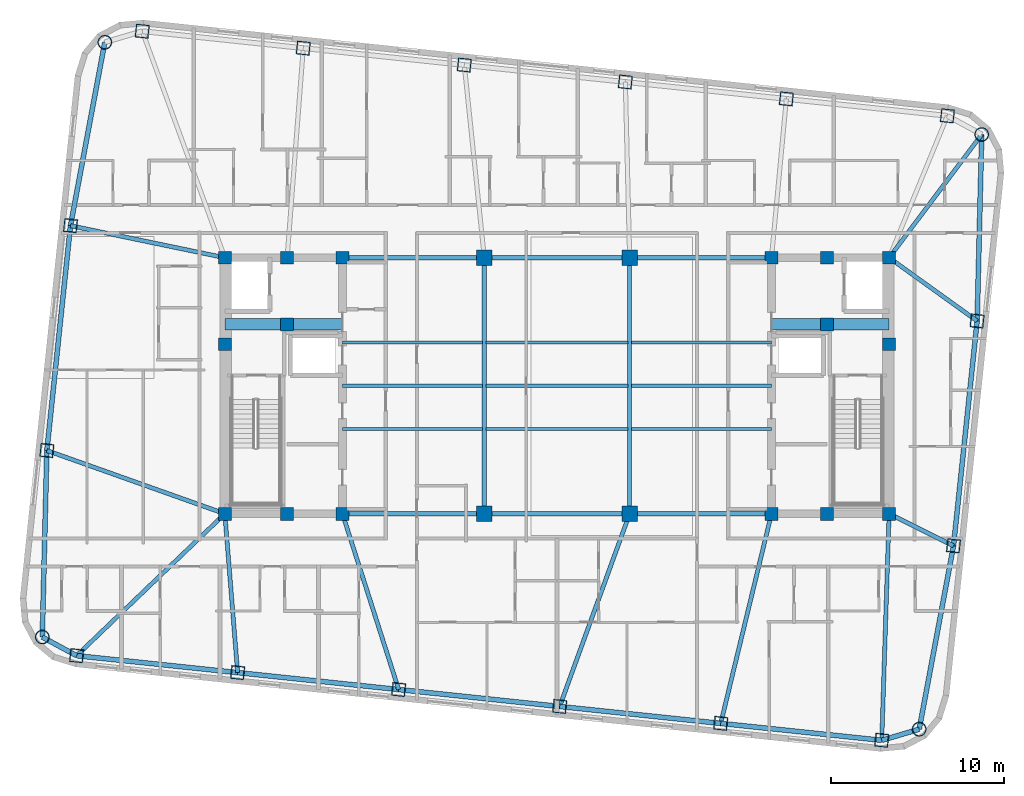
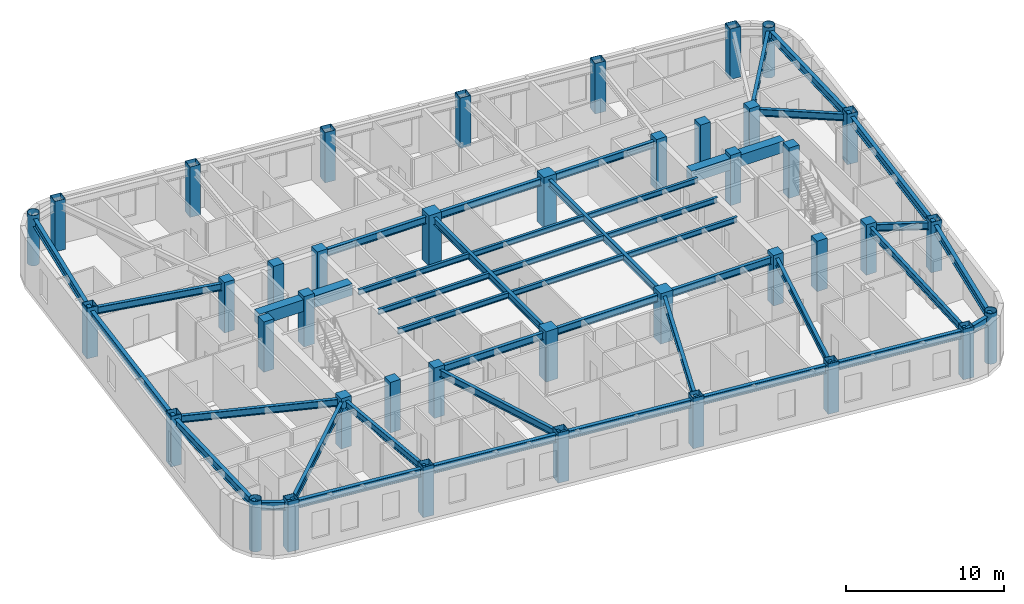
# One storey, part 1 of 11: 43 beams, 40 columns.
"""IFC4 building model written with IfcOpenShell, lengths in metres."""

import ifcopenshell
import ifcopenshell.guid

model = None  # the IFC model being written
_history = None  # IfcOwnerHistory: only IFC2X3 demands one
_inside = {}  # id of a spatial element -> (the spatial element, [elements in it])
_under = {}  # id of a project, library or spatial element -> (it, [spatial elements below it])
_declared = {}  # id of a project -> (the project, [libraries it declares])
_typed = {}  # id of a type object -> (the type object, [elements of that type])
_made_of = {}  # id of a material, layer set ... -> (it, [elements and type objects made of it])


def new_model(schema):
    """Start an empty IFC model of exactly this schema.

    Asked for "IFC4X3", IfcOpenShell would pick the latest addendum, in which some entities
    have other attributes; the version numbers below select the first issue.
    IFC2X3 requires an IfcOwnerHistory on every rooted entity: one is made here for all.
    """
    global model, _history
    if schema == "IFC4X3":
        model = ifcopenshell.file(schema_version=(4, 3, 0, 0))
    else:
        model = ifcopenshell.file(schema=schema)
    _inside.clear()
    _under.clear()
    _declared.clear()
    _typed.clear()
    _made_of.clear()
    _history = None
    if model.schema == "IFC2X3":
        org = make("IfcOrganization", Name="unknown")
        user = make(
            "IfcPersonAndOrganization",
            ThePerson=make("IfcPerson", FamilyName="unknown"),
            TheOrganization=org,
        )
        app = make(
            "IfcApplication",
            ApplicationDeveloper=org,
            Version="unknown",
            ApplicationFullName="unknown",
            ApplicationIdentifier="unknown",
        )
        _history = make(
            "IfcOwnerHistory",
            OwningUser=user,
            OwningApplication=app,
            ChangeAction="ADDED",
            CreationDate=0,
        )
    return model


def make(cls, **values):
    """One entity of the class cls with the attributes given. An attribute that is None is left unset."""
    return model.create_entity(
        cls, **{name: value for name, value in values.items() if value is not None}
    )


def rooted(cls, **values):
    """An entity with a GlobalId (a new one), such as an element, a storey or a relation."""
    return make(cls, GlobalId=ifcopenshell.guid.new(), OwnerHistory=_history, **values)


def si_unit(unit_type, name, prefix=None):
    """IfcSIUnit, for example si_unit("LENGTHUNIT", "METRE", prefix="MILLI")."""
    return make("IfcSIUnit", UnitType=unit_type, Prefix=prefix, Name=name)


def assignment(units):
    """IfcUnitAssignment: the units of a project."""
    return None if units is None else make("IfcUnitAssignment", Units=units)


def point(xyz):
    """IfcCartesianPoint."""
    return None if xyz is None else make("IfcCartesianPoint", Coordinates=xyz)


def direction(xyz):
    """IfcDirection."""
    return None if xyz is None else make("IfcDirection", DirectionRatios=xyz)


def frame(location, z_axis=None, x_axis=None):
    """IfcAxis2Placement3D, a coordinate frame: its origin and axes. An axis left out is left unset."""
    return make(
        "IfcAxis2Placement3D",
        Location=point(location),
        Axis=direction(z_axis),
        RefDirection=direction(x_axis),
    )


def frame_2d(location, x_axis=None):
    """IfcAxis2Placement2D, a coordinate frame in the plane: its origin and x axis."""
    return make(
        "IfcAxis2Placement2D", Location=point(location), RefDirection=direction(x_axis)
    )


def origin():
    """The frame at (0, 0, 0) with its axes left unset."""
    return frame((0.0, 0.0, 0.0))


def origin_2d():
    """The frame at (0, 0) in the plane with its x axis left unset."""
    return frame_2d((0.0, 0.0))


def place(relative_to, where):
    """IfcLocalPlacement: puts the frame where relative to a parent placement (None: the world)."""
    return make(
        "IfcLocalPlacement", PlacementRelTo=relative_to, RelativePlacement=where
    )


def context(
    kind, dimensions, precision=None, world=None, true_north=None, identifier=None
):
    """IfcGeometricRepresentationContext, for example the 3D "Model" context."""
    return make(
        "IfcGeometricRepresentationContext",
        ContextIdentifier=identifier,
        ContextType=kind,
        CoordinateSpaceDimension=dimensions,
        Precision=precision,
        WorldCoordinateSystem=world,
        TrueNorth=true_north,
    )


def subcontext(parent, identifier, kind, view, scale=None):
    """IfcGeometricRepresentationSubContext, for example "Body" below "Model"."""
    return make(
        "IfcGeometricRepresentationSubContext",
        ContextIdentifier=identifier,
        ContextType=kind,
        ParentContext=parent,
        TargetScale=scale,
        TargetView=view,
    )


def project(units=None, contexts=None):
    """IfcProject with its units and contexts."""
    return rooted(
        "IfcProject",
        Name="project",
        RepresentationContexts=contexts,
        UnitsInContext=assignment(units),
    )


def spatial(cls, under=None, at=None, **own):
    """A site, building, storey or space (cls), placed at a placement, below another one or the project."""
    s = rooted(cls, ObjectPlacement=at, **own)
    if under is not None:
        _under.setdefault(under.id(), (under, []))[1].append(s)
    return s


def profile(cls, at=None, kind="AREA", **sizes):
    """A parametric profile (cls). Its sizes go by their IFC names, for example OverallWidth=200.0."""
    return make(cls, ProfileType=kind, Position=at, **sizes)


def rectangle(**sizes):
    """IfcRectangleProfileDef."""
    return profile("IfcRectangleProfileDef", **sizes)


def hollow_rectangle(**sizes):
    """IfcRectangleHollowProfileDef."""
    return profile("IfcRectangleHollowProfileDef", **sizes)


def hollow_circle(**sizes):
    """IfcCircleHollowProfileDef."""
    return profile("IfcCircleHollowProfileDef", **sizes)


def i_section(**sizes):
    """IfcIShapeProfileDef."""
    return profile("IfcIShapeProfileDef", **sizes)


def extrude(swept, where, along, depth):
    """IfcExtrudedAreaSolid: the profile swept, set in the frame where, extruded along a direction by depth."""
    return make(
        "IfcExtrudedAreaSolid",
        SweptArea=swept,
        Position=where,
        ExtrudedDirection=direction(along),
        Depth=depth,
    )


def shape(context_of_items, identifier, shape_type, items):
    """IfcShapeRepresentation: the items that make up one representation, for example the "Body"."""
    return make(
        "IfcShapeRepresentation",
        ContextOfItems=context_of_items,
        RepresentationIdentifier=identifier,
        RepresentationType=shape_type,
        Items=items,
    )


def material(Name=None, Category=None):
    """IfcMaterial."""
    return make("IfcMaterial", Name=Name, Category=Category)


def material_profile(
    of_material, cross_section, Name=None, Category=None, Priority=None
):
    """IfcMaterialProfile: a cross section and its material."""
    return make(
        "IfcMaterialProfile",
        Name=Name,
        Material=of_material,
        Profile=cross_section,
        Priority=Priority,
        Category=Category,
    )


def profile_set(profiles, Name=None, composite=None):
    """IfcMaterialProfileSet."""
    return make(
        "IfcMaterialProfileSet",
        Name=Name,
        MaterialProfiles=profiles,
        CompositeProfile=composite,
    )


def made_of(thing, what):
    """Note that an element or type object is made of a material, layer set ...; save() writes the relation."""
    if what is not None:
        _made_of.setdefault(what.id(), (what, []))[1].append(thing)
    return thing


def type_object(cls, material=None, **own):
    """A type object (cls), such as IfcWallType, which elements share."""
    return made_of(rooted(cls, **own), material)


def element(
    cls,
    number,
    at=None,
    inside=None,
    cuts=None,
    type_object=None,
    material=None,
    context=None,
    identifier="Body",
    shape_type=None,
    held_by="IfcProductDefinitionShape",
    body=None,
    shapes=None,
    **own,
):
    """One element of the class cls, such as IfcWall. Its Tag is "e" and its number.

    at: its placement. inside: the storey or other place that contains it. cuts: it is an
    opening in that element (IfcRelVoidsElement). A single representation is given by context,
    identifier, shape_type and body (its items); several are given by shapes. held_by: the class
    of the entity that holds the representations. save() writes the other relations.
    """
    e = rooted(cls, Tag="e%d" % number, ObjectPlacement=at, **own)
    if body is not None:
        shapes = [shape(context, identifier, shape_type, body)]
    if shapes is not None:
        e.Representation = make(held_by, Representations=shapes)
    if inside is not None:
        _inside.setdefault(inside.id(), (inside, []))[1].append(e)
    if cuts is not None:
        rooted(
            "IfcRelVoidsElement", RelatingBuildingElement=cuts, RelatedOpeningElement=e
        )
    if type_object is not None:
        _typed.setdefault(type_object.id(), (type_object, []))[1].append(e)
    return made_of(e, material)


def aggregate(whole, parts):
    """IfcRelAggregates: a whole, such as a stair, and the parts it consists of."""
    return rooted("IfcRelAggregates", RelatingObject=whole, RelatedObjects=parts)


def save(model, path):
    """Write the relations noted so far, then the file.

    IfcRelAggregates (storeys below a building ...), IfcRelContainedInSpatialStructure (elements
    in a storey), IfcRelDefinesByType, IfcRelAssociatesMaterial and IfcRelDeclares: one each for
    every whole, place, type object, material and project.
    """
    for whole, parts in _under.values():
        aggregate(whole, parts)
    for where, things in _inside.values():
        rooted(
            "IfcRelContainedInSpatialStructure",
            RelatedElements=things,
            RelatingStructure=where,
        )
    for kind, things in _typed.values():
        rooted("IfcRelDefinesByType", RelatedObjects=things, RelatingType=kind)
    for what, things in _made_of.values():
        rooted("IfcRelAssociatesMaterial", RelatedObjects=things, RelatingMaterial=what)
    for by, libraries in _declared.values():
        rooted("IfcRelDeclares", RelatingContext=by, RelatedDefinitions=libraries)
    model.write(path)


model = new_model("IFC4")

# Units and contexts
model_context = context("Model", 3, precision=1e-05, world=origin(), true_north=direction((0.0, 1.0)))
body_context = subcontext(model_context, "Body", "Model", "MODEL_VIEW")
ifc_project = project(units=[si_unit("LENGTHUNIT", "METRE"), si_unit("AREAUNIT", "SQUARE_METRE"), si_unit("VOLUMEUNIT", "CUBIC_METRE"), si_unit("PLANEANGLEUNIT", "RADIAN"), si_unit("MASSUNIT", "GRAM", prefix="KILO")], contexts=[model_context])

# Site, building, storey
site_placement = place(None, origin())
site = spatial("IfcSite", under=ifc_project, at=site_placement, CompositionType="ELEMENT")
building_placement = place(site_placement, origin())
building = spatial("IfcBuilding", under=site, at=building_placement, Name="Voryun Gate Residences", CompositionType="ELEMENT")
storey_placement = place(building_placement, frame((0.0, 0.0, 302.89990234375)))
storey = spatial("IfcBuildingStorey", under=building, at=storey_placement, Name="L75", CompositionType="ELEMENT", Elevation=302.89990234375)

# Columns
ifc_material_1 = material(Name="Concrete C50/60", Category="concrete")
ifc_material_profile_1 = material_profile(ifc_material_1, rectangle(XDim=0.75, YDim=0.75, at=origin_2d()), Name="RC-750x750")
ifc_profile_set_1 = profile_set([ifc_material_profile_1], Name="Concrete C50/60")
column_type_1 = type_object("IfcColumnType", Name="COL_CORE_750", PredefinedType="COLUMN", material=ifc_profile_set_1)
for number, where, z_axis, x_axis, name in (
    (1, (-19.199951171875, -7.39990234375, 0.0), (0.0, 0.0, 1.0), (1.0, 0.0, 0.0), "L75 Core boundary column WC-SW"),
    (2, (-19.199951171875, 2.39990234375, 0.0), (0.0, 0.0, 1.0), (1.0, 0.0, 0.0), "L75 Core boundary column WC-MW"),
    (3, (-19.199951171875, 7.39990234375, 0.0), (0.0, 0.0, 1.0), (1.0, 0.0, 0.0), "L75 Core boundary column WC-NW"),
    (4, (-15.60009765625, -7.39990234375, 0.0), (0.0, 0.0, 1.0), (1.0, 0.0, 0.0), "L75 Core boundary column WC-SM"),
    (5, (-15.60009765625, 7.39990234375, 0.0), (0.0, 0.0, 1.0), (1.0, 0.0, 0.0), "L75 Core boundary column WC-NM"),
    (6, (-12.39990234375, -7.39990234375, 0.0), (0.0, 0.0, 1.0), (1.0, 0.0, 0.0), "L75 Core boundary column WC-SE"),
    (7, (-15.60009765625, 3.550048828125, 0.0), (0.0, 0.0, 1.0), (1.0, 0.0, 0.0), "L75 Core boundary column WC-MM"),
    (8, (-12.39990234375, 7.39990234375, 0.0), (0.0, 0.0, 1.0), (1.0, 0.0, 0.0), "L75 Core boundary column WC-NE"),
    (9, (12.39990234375, -7.39990234375, 0.0), (0.0, 0.0, 1.0), (1.0, 0.0, 0.0), "L75 Core boundary column EC-SW"),
    (10, (15.60009765625, 3.550048828125, 0.0), (0.0, 0.0, 1.0), (1.0, 0.0, 0.0), "L75 Core boundary column EC-MM"),
    (11, (12.39990234375, 7.39990234375, 0.0), (0.0, 0.0, 1.0), (1.0, 0.0, 0.0), "L75 Core boundary column EC-NW"),
    (12, (15.60009765625, -7.39990234375, 0.0), (0.0, 0.0, 1.0), (1.0, 0.0, 0.0), "L75 Core boundary column EC-SM"),
    (13, (15.60009765625, 7.39990234375, 0.0), (0.0, 0.0, 1.0), (1.0, 0.0, 0.0), "L75 Core boundary column EC-NM"),
    (14, (19.199951171875, -7.39990234375, 0.0), (0.0, 0.0, 1.0), (1.0, 0.0, 0.0), "L75 Core boundary column EC-SE"),
    (15, (19.199951171875, 2.39990234375, 0.0), (0.0, 0.0, 1.0), (1.0, 0.0, 0.0), "L75 Core boundary column EC-ME"),
    (16, (19.199951171875, 7.39990234375, 0.0), (0.0, 0.0, 1.0), (1.0, 0.0, 0.0), "L75 Core boundary column EC-NE"),
):
    element("IfcColumn", number, at=place(storey_placement, frame(where, z_axis=z_axis, x_axis=x_axis)), inside=storey, type_object=column_type_1, Name=name, PredefinedType="COLUMN", context=body_context, shape_type="SweptSolid", body=[
        extrude(rectangle(XDim=0.75, YDim=0.75, at=origin_2d()), origin(), (0.0, 0.0, 1.0), 3.900146484375),
    ])
ifc_material_2 = material(Name="Concrete C50/60", Category="concrete")
ifc_material_profile_2 = material_profile(ifc_material_2, rectangle(XDim=0.89990234375, YDim=0.89990234375, at=origin_2d()), Name="RC-900x900")
ifc_profile_set_2 = profile_set([ifc_material_profile_2], Name="Concrete C50/60")
column_type_2 = type_object("IfcColumnType", Name="COL_CORE_900", PredefinedType="COLUMN", material=ifc_profile_set_2)
for number, where, z_axis, x_axis, name in (
    (17, (-4.199951171875, -7.39990234375, 0.0), (0.0, 0.0, 1.0), (1.0, 0.0, 0.0), "L75 Interior spine column SP-WS"),
    (18, (-4.199951171875, 7.39990234375, 0.0), (0.0, 0.0, 1.0), (1.0, 0.0, 0.0), "L75 Interior spine column SP-WN"),
    (19, (4.199951171875, -7.39990234375, 0.0), (0.0, 0.0, 1.0), (1.0, 0.0, 0.0), "L75 Interior spine column SP-ES"),
    (20, (4.199951171875, 7.39990234375, 0.0), (0.0, 0.0, 1.0), (1.0, 0.0, 0.0), "L75 Interior spine column SP-EN"),
):
    element("IfcColumn", number, at=place(storey_placement, frame(where, z_axis=z_axis, x_axis=x_axis)), inside=storey, type_object=column_type_2, Name=name, PredefinedType="COLUMN", context=body_context, shape_type="SweptSolid", body=[
        extrude(rectangle(XDim=0.89990234375, YDim=0.89990234375, at=origin_2d()), origin(), (0.0, 0.0, 1.0), 3.900146484375),
    ])
ifc_material_3 = material(Name="Steel SM355", Category="steel")
ifc_material_profile_3 = material_profile(ifc_material_3, hollow_circle(Radius=0.39990234375, WallThickness=0.028076171875, at=origin_2d()), Name="CHS-800x28")
ifc_profile_set_3 = profile_set([ifc_material_profile_3], Name="Steel SM355")
column_type_3 = type_object("IfcColumnType", Name="COL_CRN_800", PredefinedType="COLUMN", material=ifc_profile_set_3)
for number, where, z_axis, x_axis, name in (
    (21, (20.939453125, -19.855224609375, 0.0), (0.0, 0.0, 1.0), (0.994521895368, -0.104528463268, 0.0), "L75 Exoskeleton column CSE"),
    (22, (24.55322265625, 14.52734375, 0.0), (0.0, 0.0, 1.0), (0.994521895368, -0.104528463268, 0.0), "L75 Exoskeleton column CNE"),
    (23, (-26.139404296875, 19.855224609375, 0.0), (0.0, 0.0, 1.0), (0.994521895368, -0.104528463268, 0.0), "L75 Exoskeleton column CNW"),
    (24, (-29.753173828125, -14.52734375, 0.0), (0.0, 0.0, 1.0), (0.994521895368, -0.104528463268, 0.0), "L75 Exoskeleton column CSW"),
):
    element("IfcColumn", number, at=place(storey_placement, frame(where, z_axis=z_axis, x_axis=x_axis)), inside=storey, type_object=column_type_3, Name=name, PredefinedType="COLUMN", context=body_context, shape_type="SweptSolid", body=[
        extrude(hollow_circle(Radius=0.39990234375, WallThickness=0.028076171875, at=origin_2d()), origin(), (0.0, 0.0, 1.0), 3.900146484375),
    ])
ifc_material_4 = material(Name="Steel SM355", Category="steel")
ifc_material_profile_4 = material_profile(ifc_material_4, hollow_rectangle(XDim=0.75, YDim=0.75, WallThickness=0.02490234375, at=origin_2d()), Name="BOX-750x750x25")
ifc_profile_set_4 = profile_set([ifc_material_profile_4], Name="Steel SM355")
column_type_4 = type_object("IfcColumnType", Name="COL_EXO_B5", PredefinedType="COLUMN", material=ifc_profile_set_4)
for number, where, z_axis, x_axis, name in (
    (25, (-27.76904296875, -15.6044921875, 0.0), (0.0, 0.0, 1.0), (0.994521895368, -0.104528463268, 0.0), "L75 Exoskeleton column S1"),
    (26, (-18.460205078125, -16.5830078125, 0.0), (0.0, 0.0, 1.0), (0.994521895368, -0.104528463268, 0.0), "L75 Exoskeleton column S2"),
    (27, (-9.151611328125, -17.561279296875, 0.0), (0.0, 0.0, 1.0), (0.994521895368, -0.104528463268, 0.0), "L75 Exoskeleton column S3"),
    (28, (0.1572265625, -18.539794921875, 0.0), (0.0, 0.0, 1.0), (0.994521895368, -0.104528463268, 0.0), "L75 Exoskeleton column S4"),
    (29, (9.4658203125, -19.51806640625, 0.0), (0.0, 0.0, 1.0), (0.994521895368, -0.104528463268, 0.0), "L75 Exoskeleton column S5"),
    (30, (18.774658203125, -20.49658203125, 0.0), (0.0, 0.0, 1.0), (0.994521895368, -0.104528463268, 0.0), "L75 Exoskeleton column S6"),
    (31, (22.922607421875, -9.25244140625, 0.0), (0.0, 0.0, 1.0), (0.994521895368, -0.104528463268, 0.0), "L75 Exoskeleton column E1"),
    (32, (24.28857421875, 3.743896484375, 0.0), (0.0, 0.0, 1.0), (0.994521895368, -0.104528463268, 0.0), "L75 Exoskeleton column E2"),
    (33, (22.569091796875, 15.6044921875, 0.0), (0.0, 0.0, 1.0), (0.994521895368, -0.104528463268, 0.0), "L75 Exoskeleton column N1"),
    (34, (13.26025390625, 16.5830078125, 0.0), (0.0, 0.0, 1.0), (0.994521895368, -0.104528463268, 0.0), "L75 Exoskeleton column N2"),
    (35, (3.95166015625, 17.561279296875, 0.0), (0.0, 0.0, 1.0), (0.994521895368, -0.104528463268, 0.0), "L75 Exoskeleton column N3"),
    (36, (-5.357177734375, 18.539794921875, 0.0), (0.0, 0.0, 1.0), (0.994521895368, -0.104528463268, 0.0), "L75 Exoskeleton column N4"),
    (37, (-14.666015625, 19.51806640625, 0.0), (0.0, 0.0, 1.0), (0.994521895368, -0.104528463268, 0.0), "L75 Exoskeleton column N5"),
    (38, (-23.974609375, 20.49658203125, 0.0), (0.0, 0.0, 1.0), (0.994521895368, -0.104528463268, 0.0), "L75 Exoskeleton column N6"),
    (39, (-28.12255859375, 9.25244140625, 0.0), (0.0, 0.0, 1.0), (0.994521895368, -0.104528463268, 0.0), "L75 Exoskeleton column W1"),
    (40, (-29.488525390625, -3.743896484375, 0.0), (0.0, 0.0, 1.0), (0.994521895368, -0.104528463268, 0.0), "L75 Exoskeleton column W2"),
):
    element("IfcColumn", number, at=place(storey_placement, frame(where, z_axis=z_axis, x_axis=x_axis)), inside=storey, type_object=column_type_4, Name=name, PredefinedType="COLUMN", context=body_context, shape_type="SweptSolid", body=[
        extrude(hollow_rectangle(XDim=0.75, YDim=0.75, WallThickness=0.02490234375, at=origin_2d()), origin(), (0.0, 0.0, 1.0), 3.900146484375),
    ])

# Beams
ifc_material_5 = material(Name="Concrete C60/75", Category="concrete")
ifc_material_profile_5 = material_profile(ifc_material_5, rectangle(XDim=0.64990234375, YDim=0.89990234375, at=origin_2d()), Name="RC-650x900")
ifc_profile_set_5 = profile_set([ifc_material_profile_5], Name="Concrete C60/75")
beam_type_1 = type_object("IfcBeamType", Name="BM_COUP_RC900", PredefinedType="LINTEL", material=ifc_profile_set_5)
for number, where, z_axis, x_axis, name in (
    (41, (-19.199951171875, 3.550048828125, 3.18505859375), (1.0, 0.0, 0.0), (0.0, 1.0, 0.0), "BM-L75-WC1"),
    (42, (12.39990234375, 3.550048828125, 3.18505859375), (1.0, 0.0, 0.0), (0.0, 1.0, 0.0), "BM-L75-EC1"),
):
    element("IfcBeam", number, at=place(storey_placement, frame(where, z_axis=z_axis, x_axis=x_axis)), inside=storey, type_object=beam_type_1, Name=name, PredefinedType="LINTEL", context=body_context, shape_type="SweptSolid", body=[
        extrude(rectangle(XDim=0.64990234375, YDim=0.89990234375, at=origin_2d()), origin(), (0.0, 0.0, 1.0), 6.800048828125),
    ])
ifc_material_6 = material(Name="Steel SM355", Category="steel")
ifc_material_profile_6 = material_profile(ifc_material_6, i_section(OverallWidth=0.280029296875, OverallDepth=0.6201171875, WebThickness=0.013916015625, FlangeThickness=0.02197265625, FilletRadius=0.01806640625, at=origin_2d()), Name="H-620x280x14x22")
ifc_profile_set_6 = profile_set([ifc_material_profile_6], Name="Steel SM355")
beam_type_2 = type_object("IfcBeamType", Name="BM_EXO_SPANDREL_H", PredefinedType="SPANDREL", material=ifc_profile_set_6)
beam_1_placement = place(storey_placement, frame((-27.76904296875, -15.6044921875, 3.3251953125), z_axis=(0.994520592114, -0.104540862157, 0.0), x_axis=(0.104540862157, 0.994520592114, 0.0)))
element("IfcBeam", 43, at=beam_1_placement, inside=storey, type_object=beam_type_2, Name="BM-L75-SPAND-01", PredefinedType="SPANDREL", context=body_context, shape_type="SweptSolid", body=[
    extrude(i_section(OverallWidth=0.280029296875, OverallDepth=0.6201171875, WebThickness=0.013916015625, FlangeThickness=0.02197265625, FilletRadius=0.01806640625, at=origin_2d()), origin(), (0.0, 0.0, 1.0), 9.360107421875),
])
beam_2_placement = place(storey_placement, frame((-18.460205078125, -16.5830078125, 3.3251953125), z_axis=(0.994523018663, -0.104517775278, 0.0), x_axis=(0.104517775278, 0.994523018663, 0.0)))
element("IfcBeam", 44, at=beam_2_placement, inside=storey, type_object=beam_type_2, Name="BM-L75-SPAND-02", PredefinedType="SPANDREL", context=body_context, shape_type="SweptSolid", body=[
    extrude(i_section(OverallWidth=0.280029296875, OverallDepth=0.6201171875, WebThickness=0.013916015625, FlangeThickness=0.02197265625, FilletRadius=0.01806640625, at=origin_2d()), origin(), (0.0, 0.0, 1.0), 9.35986328125),
])
beam_3_placement = place(storey_placement, frame((-9.151611328125, -17.561279296875, 3.3251953125), z_axis=(0.994520592114, -0.104540862157, 0.0), x_axis=(0.104540862157, 0.994520592114, 0.0)))
element("IfcBeam", 45, at=beam_3_placement, inside=storey, type_object=beam_type_2, Name="BM-L75-SPAND-03", PredefinedType="SPANDREL", context=body_context, shape_type="SweptSolid", body=[
    extrude(i_section(OverallWidth=0.280029296875, OverallDepth=0.6201171875, WebThickness=0.013916015625, FlangeThickness=0.02197265625, FilletRadius=0.01806640625, at=origin_2d()), origin(), (0.0, 0.0, 1.0), 9.360107421875),
])
beam_4_placement = place(storey_placement, frame((0.1572265625, -18.539794921875, 3.3251953125), z_axis=(0.994523018663, -0.104517775278, 0.0), x_axis=(0.104517775278, 0.994523018663, 0.0)))
element("IfcBeam", 46, at=beam_4_placement, inside=storey, type_object=beam_type_2, Name="BM-L75-SPAND-04", PredefinedType="SPANDREL", context=body_context, shape_type="SweptSolid", body=[
    extrude(i_section(OverallWidth=0.280029296875, OverallDepth=0.6201171875, WebThickness=0.013916015625, FlangeThickness=0.02197265625, FilletRadius=0.01806640625, at=origin_2d()), origin(), (0.0, 0.0, 1.0), 9.35986328125),
])
beam_5_placement = place(storey_placement, frame((9.4658203125, -19.51806640625, 3.3251953125), z_axis=(0.994520592114, -0.104540862157, 0.0), x_axis=(0.104540862157, 0.994520592114, 0.0)))
element("IfcBeam", 47, at=beam_5_placement, inside=storey, type_object=beam_type_2, Name="BM-L75-SPAND-05", PredefinedType="SPANDREL", context=body_context, shape_type="SweptSolid", body=[
    extrude(i_section(OverallWidth=0.280029296875, OverallDepth=0.6201171875, WebThickness=0.013916015625, FlangeThickness=0.02197265625, FilletRadius=0.01806640625, at=origin_2d()), origin(), (0.0, 0.0, 1.0), 9.360107421875),
])
beam_6_placement = place(storey_placement, frame((18.774658203125, -20.49658203125, 3.3251953125), z_axis=(0.958805748412, 0.28406255792, 0.0), x_axis=(-0.28406255792, 0.958805748412, 0.0)))
element("IfcBeam", 48, at=beam_6_placement, inside=storey, type_object=beam_type_2, Name="BM-L75-SPAND-06", PredefinedType="SPANDREL", context=body_context, shape_type="SweptSolid", body=[
    extrude(i_section(OverallWidth=0.280029296875, OverallDepth=0.6201171875, WebThickness=0.013916015625, FlangeThickness=0.02197265625, FilletRadius=0.01806640625, at=origin_2d()), origin(), (0.0, 0.0, 1.0), 2.2578125),
])
beam_7_placement = place(storey_placement, frame((20.939453125, -19.855224609375, 3.3251953125), z_axis=(0.183852585596, 0.982953827384, 0.0), x_axis=(-0.982953827384, 0.183852585596, 0.0)))
element("IfcBeam", 49, at=beam_7_placement, inside=storey, type_object=beam_type_2, Name="BM-L75-SPAND-07", PredefinedType="SPANDREL", context=body_context, shape_type="SweptSolid", body=[
    extrude(i_section(OverallWidth=0.280029296875, OverallDepth=0.6201171875, WebThickness=0.013916015625, FlangeThickness=0.02197265625, FilletRadius=0.01806640625, at=origin_2d()), origin(), (0.0, 0.0, 1.0), 10.78662109375),
])
beam_8_placement = place(storey_placement, frame((22.922607421875, -9.25244140625, 3.3251953125), z_axis=(0.104528209082, 0.994521922084, 0.0), x_axis=(-0.994521922084, 0.104528209082, 0.0)))
element("IfcBeam", 50, at=beam_8_placement, inside=storey, type_object=beam_type_2, Name="BM-L75-SPAND-08", PredefinedType="SPANDREL", context=body_context, shape_type="SweptSolid", body=[
    extrude(i_section(OverallWidth=0.280029296875, OverallDepth=0.6201171875, WebThickness=0.013916015625, FlangeThickness=0.02197265625, FilletRadius=0.01806640625, at=origin_2d()), origin(), (0.0, 0.0, 1.0), 13.06787109375),
])
for number, where, z_axis, x_axis, name in (
    (51, (24.28857421875, 3.743896484375, 3.3251953125), (0.024534711967, 0.999698978647, 0.0), (-0.999698978647, 0.024534711967, 0.0), "BM-L75-SPAND-09"),
    (52, (-26.139404296875, 19.855224609375, 3.3251953125), (-0.183852585596, -0.982953827384, 0.0), (0.982953827384, -0.183852585596, 0.0), "BM-L75-SPAND-17"),
):
    element("IfcBeam", number, at=place(storey_placement, frame(where, z_axis=z_axis, x_axis=x_axis)), inside=storey, type_object=beam_type_2, Name=name, PredefinedType="SPANDREL", context=body_context, shape_type="SweptSolid", body=[
        extrude(i_section(OverallWidth=0.280029296875, OverallDepth=0.6201171875, WebThickness=0.013916015625, FlangeThickness=0.02197265625, FilletRadius=0.01806640625, at=origin_2d()), origin(), (0.0, 0.0, 1.0), 10.78662109375),
    ])
beam_9_placement = place(storey_placement, frame((-28.12255859375, 9.25244140625, 3.3251953125), z_axis=(-0.104528209082, -0.994521922084, 0.0), x_axis=(0.994521922084, -0.104528209082, 0.0)))
element("IfcBeam", 53, at=beam_9_placement, inside=storey, type_object=beam_type_2, Name="BM-L75-SPAND-18", PredefinedType="SPANDREL", context=body_context, shape_type="SweptSolid", body=[
    extrude(i_section(OverallWidth=0.280029296875, OverallDepth=0.6201171875, WebThickness=0.013916015625, FlangeThickness=0.02197265625, FilletRadius=0.01806640625, at=origin_2d()), origin(), (0.0, 0.0, 1.0), 13.06787109375),
])
beam_10_placement = place(storey_placement, frame((-29.488525390625, -3.743896484375, 3.3251953125), z_axis=(-0.024534711967, -0.999698978647, 0.0), x_axis=(0.999698978647, -0.024534711967, 0.0)))
element("IfcBeam", 54, at=beam_10_placement, inside=storey, type_object=beam_type_2, Name="BM-L75-SPAND-19", PredefinedType="SPANDREL", context=body_context, shape_type="SweptSolid", body=[
    extrude(i_section(OverallWidth=0.280029296875, OverallDepth=0.6201171875, WebThickness=0.013916015625, FlangeThickness=0.02197265625, FilletRadius=0.01806640625, at=origin_2d()), origin(), (0.0, 0.0, 1.0), 10.78662109375),
])
beam_11_placement = place(storey_placement, frame((-29.753173828125, -14.52734375, 3.3251953125), z_axis=(0.878844363117, -0.477108567746, 0.0), x_axis=(0.477108567746, 0.878844363117, 0.0)))
element("IfcBeam", 55, at=beam_11_placement, inside=storey, type_object=beam_type_2, Name="BM-L75-SPAND-20", PredefinedType="SPANDREL", context=body_context, shape_type="SweptSolid", body=[
    extrude(i_section(OverallWidth=0.280029296875, OverallDepth=0.6201171875, WebThickness=0.013916015625, FlangeThickness=0.02197265625, FilletRadius=0.01806640625, at=origin_2d()), origin(), (0.0, 0.0, 1.0), 2.257568359375),
])
ifc_material_7 = material(Name="Steel SM355", Category="steel")
ifc_material_profile_7 = material_profile(ifc_material_7, i_section(OverallWidth=0.239990234375, OverallDepth=0.550048828125, WebThickness=0.011962890625, FlangeThickness=0.02001953125, FilletRadius=0.01806640625, at=origin_2d()), Name="H-550x240x12x20")
ifc_profile_set_7 = profile_set([ifc_material_profile_7], Name="Steel SM355")
beam_type_3 = type_object("IfcBeamType", Name="BM_GIRD_550", PredefinedType="USERDEFINED", material=ifc_profile_set_7)
beam_12_placement = place(storey_placement, frame((-12.39990234375, -7.39990234375, 3.360107421875), z_axis=(1.0, 0.0, 0.0), x_axis=(0.0, 1.0, 0.0)))
element("IfcBeam", 56, at=beam_12_placement, inside=storey, type_object=beam_type_3, Name="BM-L75-SPG1-S", ObjectType="GIRDER", PredefinedType="USERDEFINED", context=body_context, shape_type="SweptSolid", body=[
    extrude(i_section(OverallWidth=0.239990234375, OverallDepth=0.550048828125, WebThickness=0.011962890625, FlangeThickness=0.02001953125, FilletRadius=0.01806640625, at=origin_2d()), origin(), (0.0, 0.0, 1.0), 8.199951171875),
])
beam_13_placement = place(storey_placement, frame((-4.199951171875, -7.39990234375, 3.360107421875), z_axis=(1.0, 0.0, 0.0), x_axis=(0.0, 1.0, 0.0)))
element("IfcBeam", 57, at=beam_13_placement, inside=storey, type_object=beam_type_3, Name="BM-L75-SPG2-S", ObjectType="GIRDER", PredefinedType="USERDEFINED", context=body_context, shape_type="SweptSolid", body=[
    extrude(i_section(OverallWidth=0.239990234375, OverallDepth=0.550048828125, WebThickness=0.011962890625, FlangeThickness=0.02001953125, FilletRadius=0.01806640625, at=origin_2d()), origin(), (0.0, 0.0, 1.0), 8.39990234375),
])
for number, where, z_axis, x_axis, name in (
    (58, (4.199951171875, -7.39990234375, 3.360107421875), (1.0, 0.0, 0.0), (0.0, 1.0, 0.0), "BM-L75-SPG3-S"),
    (59, (-12.39990234375, 7.39990234375, 3.360107421875), (1.0, 0.0, 0.0), (0.0, 1.0, 0.0), "BM-L75-SPG1-N"),
):
    element("IfcBeam", number, at=place(storey_placement, frame(where, z_axis=z_axis, x_axis=x_axis)), inside=storey, type_object=beam_type_3, Name=name, ObjectType="GIRDER", PredefinedType="USERDEFINED", context=body_context, shape_type="SweptSolid", body=[
        extrude(i_section(OverallWidth=0.239990234375, OverallDepth=0.550048828125, WebThickness=0.011962890625, FlangeThickness=0.02001953125, FilletRadius=0.01806640625, at=origin_2d()), origin(), (0.0, 0.0, 1.0), 8.199951171875),
    ])
beam_14_placement = place(storey_placement, frame((-4.199951171875, 7.39990234375, 3.360107421875), z_axis=(1.0, 0.0, 0.0), x_axis=(0.0, 1.0, 0.0)))
element("IfcBeam", 60, at=beam_14_placement, inside=storey, type_object=beam_type_3, Name="BM-L75-SPG2-N", ObjectType="GIRDER", PredefinedType="USERDEFINED", context=body_context, shape_type="SweptSolid", body=[
    extrude(i_section(OverallWidth=0.239990234375, OverallDepth=0.550048828125, WebThickness=0.011962890625, FlangeThickness=0.02001953125, FilletRadius=0.01806640625, at=origin_2d()), origin(), (0.0, 0.0, 1.0), 8.39990234375),
])
beam_15_placement = place(storey_placement, frame((4.199951171875, 7.39990234375, 3.360107421875), z_axis=(1.0, 0.0, 0.0), x_axis=(0.0, 1.0, 0.0)))
element("IfcBeam", 61, at=beam_15_placement, inside=storey, type_object=beam_type_3, Name="BM-L75-SPG3-N", ObjectType="GIRDER", PredefinedType="USERDEFINED", context=body_context, shape_type="SweptSolid", body=[
    extrude(i_section(OverallWidth=0.239990234375, OverallDepth=0.550048828125, WebThickness=0.011962890625, FlangeThickness=0.02001953125, FilletRadius=0.01806640625, at=origin_2d()), origin(), (0.0, 0.0, 1.0), 8.199951171875),
])
for number, where, z_axis, x_axis, name in (
    (62, (-4.199951171875, -7.39990234375, 3.360107421875), (0.0, 1.0, 0.0), (-1.0, 0.0, 0.0), "BM-L75-SPX-W"),
    (63, (4.199951171875, -7.39990234375, 3.360107421875), (0.0, 1.0, 0.0), (-1.0, 0.0, 0.0), "BM-L75-SPX-E"),
):
    element("IfcBeam", number, at=place(storey_placement, frame(where, z_axis=z_axis, x_axis=x_axis)), inside=storey, type_object=beam_type_3, Name=name, ObjectType="GIRDER", PredefinedType="USERDEFINED", context=body_context, shape_type="SweptSolid", body=[
        extrude(i_section(OverallWidth=0.239990234375, OverallDepth=0.550048828125, WebThickness=0.011962890625, FlangeThickness=0.02001953125, FilletRadius=0.01806640625, at=origin_2d()), origin(), (0.0, 0.0, 1.0), 14.7998046875),
    ])
beam_16_placement = place(storey_placement, frame((-19.199951171875, -7.39990234375, 3.360107421875), z_axis=(-0.722302104769, -0.691577666966, 0.0), x_axis=(0.691577666966, -0.722302104769, 0.0)))
element("IfcBeam", 64, at=beam_16_placement, inside=storey, type_object=beam_type_3, Name="BM-L75-RAD-S1", ObjectType="GIRDER", PredefinedType="USERDEFINED", context=body_context, shape_type="SweptSolid", body=[
    extrude(i_section(OverallWidth=0.239990234375, OverallDepth=0.550048828125, WebThickness=0.011962890625, FlangeThickness=0.02001953125, FilletRadius=0.01806640625, at=origin_2d()), origin(), (0.0, 0.0, 1.0), 11.863525390625),
])
beam_17_placement = place(storey_placement, frame((-19.199951171875, -7.39990234375, 3.360107421875), z_axis=(0.080295011504, -0.996771142804, 0.0), x_axis=(0.996771142804, 0.080295011504, 0.0)))
element("IfcBeam", 65, at=beam_17_placement, inside=storey, type_object=beam_type_3, Name="BM-L75-RAD-S2", ObjectType="GIRDER", PredefinedType="USERDEFINED", context=body_context, shape_type="SweptSolid", body=[
    extrude(i_section(OverallWidth=0.239990234375, OverallDepth=0.550048828125, WebThickness=0.011962890625, FlangeThickness=0.02001953125, FilletRadius=0.01806640625, at=origin_2d()), origin(), (0.0, 0.0, 1.0), 9.212890625),
])
beam_18_placement = place(storey_placement, frame((-12.39990234375, -7.39990234375, 3.360107421875), z_axis=(0.30449089095, -0.952515247819, 0.0), x_axis=(0.952515247819, 0.30449089095, 0.0)))
element("IfcBeam", 66, at=beam_18_placement, inside=storey, type_object=beam_type_3, Name="BM-L75-RAD-S3", ObjectType="GIRDER", PredefinedType="USERDEFINED", context=body_context, shape_type="SweptSolid", body=[
    extrude(i_section(OverallWidth=0.239990234375, OverallDepth=0.550048828125, WebThickness=0.011962890625, FlangeThickness=0.02001953125, FilletRadius=0.01806640625, at=origin_2d()), origin(), (0.0, 0.0, 1.0), 10.66796875),
])
beam_19_placement = place(storey_placement, frame((4.199951171875, -7.39990234375, 3.360107421875), z_axis=(-0.341135931896, -0.940013976476, 0.0), x_axis=(0.940013976476, -0.341135931896, 0.0)))
element("IfcBeam", 67, at=beam_19_placement, inside=storey, type_object=beam_type_3, Name="BM-L75-RAD-S4", ObjectType="GIRDER", PredefinedType="USERDEFINED", context=body_context, shape_type="SweptSolid", body=[
    extrude(i_section(OverallWidth=0.239990234375, OverallDepth=0.550048828125, WebThickness=0.011962890625, FlangeThickness=0.02001953125, FilletRadius=0.01806640625, at=origin_2d()), origin(), (0.0, 0.0, 1.0), 11.850830078125),
])
beam_20_placement = place(storey_placement, frame((12.39990234375, -7.39990234375, 3.360107421875), z_axis=(-0.235323166357, -0.971917181336, 0.0), x_axis=(0.971917181336, -0.235323166357, 0.0)))
element("IfcBeam", 68, at=beam_20_placement, inside=storey, type_object=beam_type_3, Name="BM-L75-RAD-S5", ObjectType="GIRDER", PredefinedType="USERDEFINED", context=body_context, shape_type="SweptSolid", body=[
    extrude(i_section(OverallWidth=0.239990234375, OverallDepth=0.550048828125, WebThickness=0.011962890625, FlangeThickness=0.02001953125, FilletRadius=0.01806640625, at=origin_2d()), origin(), (0.0, 0.0, 1.0), 12.46826171875),
])
beam_21_placement = place(storey_placement, frame((19.199951171875, -7.39990234375, 3.360107421875), z_axis=(-0.032456234446, -0.999473157641, 0.0), x_axis=(0.999473157641, -0.032456234446, 0.0)))
element("IfcBeam", 69, at=beam_21_placement, inside=storey, type_object=beam_type_3, Name="BM-L75-RAD-S6", ObjectType="GIRDER", PredefinedType="USERDEFINED", context=body_context, shape_type="SweptSolid", body=[
    extrude(i_section(OverallWidth=0.239990234375, OverallDepth=0.550048828125, WebThickness=0.011962890625, FlangeThickness=0.02001953125, FilletRadius=0.01806640625, at=origin_2d()), origin(), (0.0, 0.0, 1.0), 13.103515625),
])
beam_22_placement = place(storey_placement, frame((19.199951171875, -7.39990234375, 3.360107421875), z_axis=(0.895271074172, -0.445521833081, 0.0), x_axis=(0.445521833081, 0.895271074172, 0.0)))
element("IfcBeam", 70, at=beam_22_placement, inside=storey, type_object=beam_type_3, Name="BM-L75-RAD-E1", ObjectType="GIRDER", PredefinedType="USERDEFINED", context=body_context, shape_type="SweptSolid", body=[
    extrude(i_section(OverallWidth=0.239990234375, OverallDepth=0.550048828125, WebThickness=0.011962890625, FlangeThickness=0.02001953125, FilletRadius=0.01806640625, at=origin_2d()), origin(), (0.0, 0.0, 1.0), 4.158203125),
])
beam_23_placement = place(storey_placement, frame((19.199951171875, 7.39990234375, 3.360107421875), z_axis=(0.81212442094, -0.583484297058, 0.0), x_axis=(0.583484297058, 0.81212442094, 0.0)))
element("IfcBeam", 71, at=beam_23_placement, inside=storey, type_object=beam_type_3, Name="BM-L75-RAD-E2", ObjectType="GIRDER", PredefinedType="USERDEFINED", context=body_context, shape_type="SweptSolid", body=[
    extrude(i_section(OverallWidth=0.239990234375, OverallDepth=0.550048828125, WebThickness=0.011962890625, FlangeThickness=0.02001953125, FilletRadius=0.01806640625, at=origin_2d()), origin(), (0.0, 0.0, 1.0), 6.265869140625),
])
beam_24_placement = place(storey_placement, frame((19.199951171875, 7.39990234375, 3.360107421875), z_axis=(0.60055201327, 0.799585692316, 0.0), x_axis=(-0.799585692316, 0.60055201327, 0.0)))
element("IfcBeam", 72, at=beam_24_placement, inside=storey, type_object=beam_type_3, Name="BM-L75-RAD-CNE", ObjectType="GIRDER", PredefinedType="USERDEFINED", context=body_context, shape_type="SweptSolid", body=[
    extrude(i_section(OverallWidth=0.239990234375, OverallDepth=0.550048828125, WebThickness=0.011962890625, FlangeThickness=0.02001953125, FilletRadius=0.01806640625, at=origin_2d()), origin(), (0.0, 0.0, 1.0), 8.913818359375),
])
beam_25_placement = place(storey_placement, frame((-19.199951171875, 7.39990234375, 3.360107421875), z_axis=(-0.979119049711, 0.203287693907, 0.0), x_axis=(-0.203287693907, -0.979119049711, 0.0)))
element("IfcBeam", 73, at=beam_25_placement, inside=storey, type_object=beam_type_3, Name="BM-L75-RAD-W1", ObjectType="GIRDER", PredefinedType="USERDEFINED", context=body_context, shape_type="SweptSolid", body=[
    extrude(i_section(OverallWidth=0.239990234375, OverallDepth=0.550048828125, WebThickness=0.011962890625, FlangeThickness=0.02001953125, FilletRadius=0.01806640625, at=origin_2d()), origin(), (0.0, 0.0, 1.0), 9.11279296875),
])
beam_26_placement = place(storey_placement, frame((-19.199951171875, -7.39990234375, 3.360107421875), z_axis=(-0.942276939669, 0.334834539688, 0.0), x_axis=(-0.334834539688, -0.942276939669, 0.0)))
element("IfcBeam", 74, at=beam_26_placement, inside=storey, type_object=beam_type_3, Name="BM-L75-RAD-W2", ObjectType="GIRDER", PredefinedType="USERDEFINED", context=body_context, shape_type="SweptSolid", body=[
    extrude(i_section(OverallWidth=0.239990234375, OverallDepth=0.550048828125, WebThickness=0.011962890625, FlangeThickness=0.02001953125, FilletRadius=0.01806640625, at=origin_2d()), origin(), (0.0, 0.0, 1.0), 10.9189453125),
])
ifc_material_8 = material(Name="Steel SM355", Category="steel")
ifc_material_profile_8 = material_profile(ifc_material_8, i_section(OverallWidth=0.18994140625, OverallDepth=0.419921875, WebThickness=0.009033203125, FlangeThickness=0.01611328125, FilletRadius=0.01806640625, at=origin_2d()), Name="H-420x190x9x16")
ifc_profile_set_8 = profile_set([ifc_material_profile_8], Name="Steel SM355")
beam_type_4 = type_object("IfcBeamType", Name="BM_SEC_420", PredefinedType="BEAM", material=ifc_profile_set_8)
beam_27_placement = place(storey_placement, frame((-12.39990234375, -2.5, 3.425048828125), z_axis=(1.0, 0.0, 0.0), x_axis=(0.0, 1.0, 0.0)))
element("IfcBeam", 75, at=beam_27_placement, inside=storey, type_object=beam_type_4, Name="BM-L75-SEC-CS1", PredefinedType="BEAM", context=body_context, shape_type="SweptSolid", body=[
    extrude(i_section(OverallWidth=0.18994140625, OverallDepth=0.419921875, WebThickness=0.009033203125, FlangeThickness=0.01611328125, FilletRadius=0.01806640625, at=origin_2d()), origin(), (0.0, 0.0, 1.0), 8.099853515625),
])
beam_28_placement = place(storey_placement, frame((-4.10009765625, -2.5, 3.425048828125), z_axis=(1.0, 0.0, 0.0), x_axis=(0.0, 1.0, 0.0)))
element("IfcBeam", 76, at=beam_28_placement, inside=storey, type_object=beam_type_4, Name="BM-L75-SEC-CS2", PredefinedType="BEAM", context=body_context, shape_type="SweptSolid", body=[
    extrude(i_section(OverallWidth=0.18994140625, OverallDepth=0.419921875, WebThickness=0.009033203125, FlangeThickness=0.01611328125, FilletRadius=0.01806640625, at=origin_2d()), origin(), (0.0, 0.0, 1.0), 8.2001953125),
])
for number, where, z_axis, x_axis, name in (
    (77, (4.300048828125, -2.5, 3.425048828125), (1.0, 0.0, 0.0), (0.0, 1.0, 0.0), "BM-L75-SEC-CS3"),
    (78, (-12.39990234375, 0.0, 3.425048828125), (1.0, 0.0, 0.0), (0.0, 1.0, 0.0), "BM-L75-SEC-CM1"),
):
    element("IfcBeam", number, at=place(storey_placement, frame(where, z_axis=z_axis, x_axis=x_axis)), inside=storey, type_object=beam_type_4, Name=name, PredefinedType="BEAM", context=body_context, shape_type="SweptSolid", body=[
        extrude(i_section(OverallWidth=0.18994140625, OverallDepth=0.419921875, WebThickness=0.009033203125, FlangeThickness=0.01611328125, FilletRadius=0.01806640625, at=origin_2d()), origin(), (0.0, 0.0, 1.0), 8.099853515625),
    ])
beam_29_placement = place(storey_placement, frame((-4.10009765625, 0.0, 3.425048828125), z_axis=(1.0, 0.0, 0.0), x_axis=(0.0, 1.0, 0.0)))
element("IfcBeam", 79, at=beam_29_placement, inside=storey, type_object=beam_type_4, Name="BM-L75-SEC-CM2", PredefinedType="BEAM", context=body_context, shape_type="SweptSolid", body=[
    extrude(i_section(OverallWidth=0.18994140625, OverallDepth=0.419921875, WebThickness=0.009033203125, FlangeThickness=0.01611328125, FilletRadius=0.01806640625, at=origin_2d()), origin(), (0.0, 0.0, 1.0), 8.2001953125),
])
for number, where, z_axis, x_axis, name in (
    (80, (4.300048828125, 0.0, 3.425048828125), (1.0, 0.0, 0.0), (0.0, 1.0, 0.0), "BM-L75-SEC-CM3"),
    (81, (-12.39990234375, 2.5, 3.425048828125), (1.0, 0.0, 0.0), (0.0, 1.0, 0.0), "BM-L75-SEC-CN1"),
):
    element("IfcBeam", number, at=place(storey_placement, frame(where, z_axis=z_axis, x_axis=x_axis)), inside=storey, type_object=beam_type_4, Name=name, PredefinedType="BEAM", context=body_context, shape_type="SweptSolid", body=[
        extrude(i_section(OverallWidth=0.18994140625, OverallDepth=0.419921875, WebThickness=0.009033203125, FlangeThickness=0.01611328125, FilletRadius=0.01806640625, at=origin_2d()), origin(), (0.0, 0.0, 1.0), 8.099853515625),
    ])
beam_30_placement = place(storey_placement, frame((-4.10009765625, 2.5, 3.425048828125), z_axis=(1.0, 0.0, 0.0), x_axis=(0.0, 1.0, 0.0)))
element("IfcBeam", 82, at=beam_30_placement, inside=storey, type_object=beam_type_4, Name="BM-L75-SEC-CN2", PredefinedType="BEAM", context=body_context, shape_type="SweptSolid", body=[
    extrude(i_section(OverallWidth=0.18994140625, OverallDepth=0.419921875, WebThickness=0.009033203125, FlangeThickness=0.01611328125, FilletRadius=0.01806640625, at=origin_2d()), origin(), (0.0, 0.0, 1.0), 8.2001953125),
])
beam_31_placement = place(storey_placement, frame((4.300048828125, 2.5, 3.425048828125), z_axis=(1.0, 0.0, 0.0), x_axis=(0.0, 1.0, 0.0)))
element("IfcBeam", 83, at=beam_31_placement, inside=storey, type_object=beam_type_4, Name="BM-L75-SEC-CN3", PredefinedType="BEAM", context=body_context, shape_type="SweptSolid", body=[
    extrude(i_section(OverallWidth=0.18994140625, OverallDepth=0.419921875, WebThickness=0.009033203125, FlangeThickness=0.01611328125, FilletRadius=0.01806640625, at=origin_2d()), origin(), (0.0, 0.0, 1.0), 8.099853515625),
])

save(model, "model.ifc")
